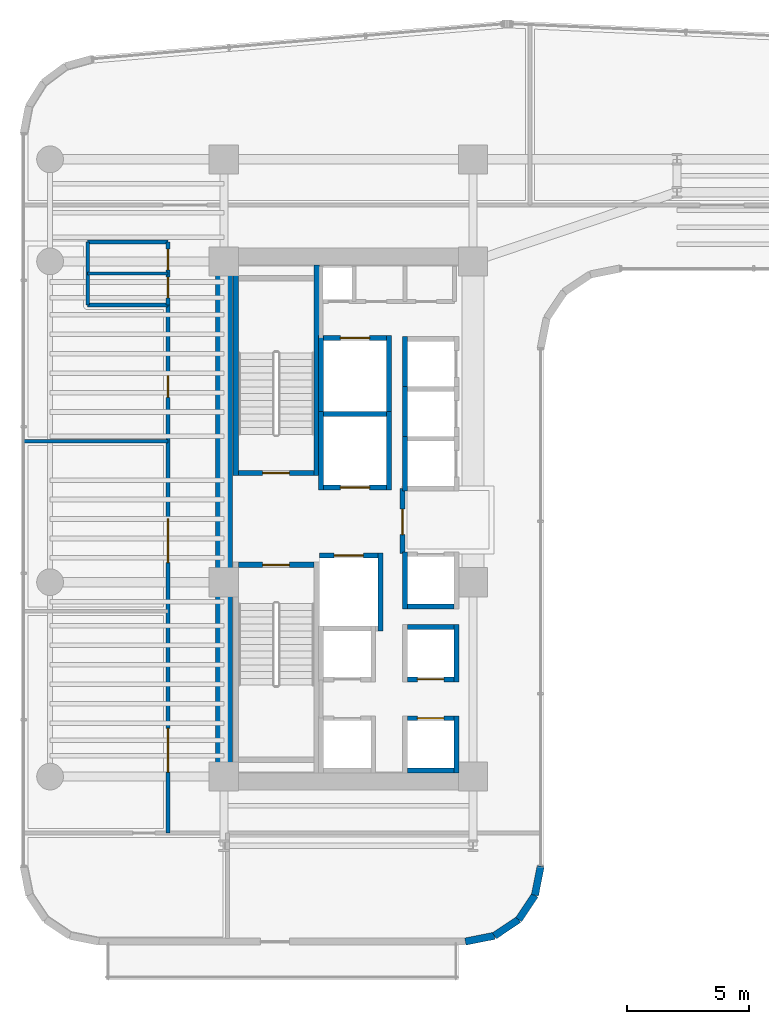
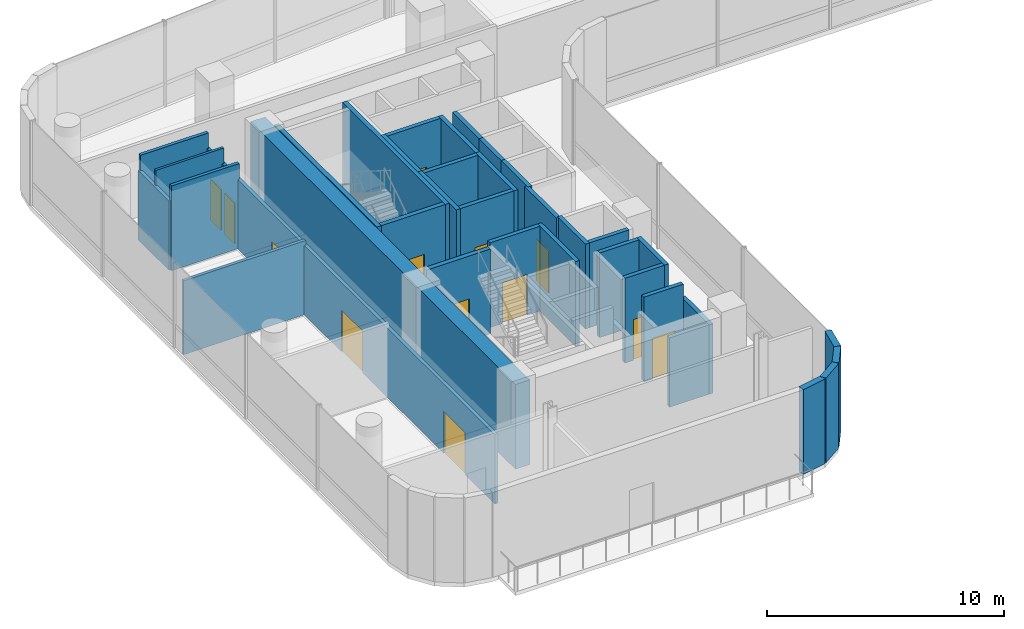
# One storey, part 25 of 32: 37 walls, 13 doors, 13 openings.
"""IFC4 building model written with IfcOpenShell, lengths in metres."""

from ifc_helpers import new_model, si_unit, direction, frame, frame_2d, origin, place, context, subcontext, project, spatial, rectangle, extrude, material, layer, layer_set, type_object, element, fill, save


model = new_model("IFC4")

# Units and contexts
model_context = context("Model", 3, precision=1e-05, world=origin(), true_north=direction((0.0, 1.0)))
body_context = subcontext(model_context, "Body", "Model", "MODEL_VIEW")
ifc_project = project(units=[si_unit("LENGTHUNIT", "METRE"), si_unit("AREAUNIT", "SQUARE_METRE"), si_unit("VOLUMEUNIT", "CUBIC_METRE"), si_unit("PLANEANGLEUNIT", "RADIAN"), si_unit("MASSUNIT", "GRAM", prefix="KILO")], contexts=[model_context])

# Site, building, storey
site_placement = place(None, origin())
site = spatial("IfcSite", under=ifc_project, at=site_placement, CompositionType="ELEMENT")
building_placement = place(site_placement, origin())
building = spatial("IfcBuilding", under=site, at=building_placement, Name="Valdorenza Pilgrim Sanctuary Tower", CompositionType="ELEMENT")
storey_placement = place(building_placement, frame((0.0, 0.0, 101.10009765625)))
storey = spatial("IfcBuildingStorey", under=building, at=storey_placement, Name="L25", CompositionType="ELEMENT", Elevation=101.10009765625)

# Wall
ifc_material_1 = material(Name="Acoustic twin-stud gypsum partition", Category="gypsum")
ifc_layer_1 = layer(ifc_material_1, 0.159912109375, Name="Acoustic twin-stud gypsum partition")
ifc_layer_set_1 = layer_set([ifc_layer_1], Name="Acoustic twin-stud gypsum partition")
wall_type_1 = type_object("IfcWallType", Name="WAL-COR-160", PredefinedType="PARTITIONING", material=ifc_layer_set_1)
wall_1_placement = place(storey_placement, frame((-28.25, 8.800048828125, 0.0), z_axis=(0.0, 0.0, 1.0), x_axis=(0.0, 1.0, 0.0)))
element("IfcWall", 1, at=wall_1_placement, inside=storey, type_object=wall_type_1, Name="L25 Washroom West Wall", PredefinedType="PARTITIONING", context=body_context, shape_type="SweptSolid", body=[
    extrude(rectangle(XDim=2.599853515625, YDim=0.159912109375, at=frame_2d((1.2998046875, 0.0))), origin(), (0.0, 0.0, 1.0), 3.56591796875),
])

# Wall, openings, doors
wall_2_placement = place(storey_placement, frame((-24.949951171875, 8.800048828125, 0.0), z_axis=(0.0, 0.0, 1.0), x_axis=(0.0, 1.0, 0.0)))
wall_2 = element("IfcWall", 2, at=wall_2_placement, inside=storey, type_object=wall_type_1, Name="L25 Washroom East Wall", PredefinedType="PARTITIONING", context=body_context, shape_type="SweptSolid", body=[
    extrude(rectangle(XDim=2.599853515625, YDim=0.159912109375, at=frame_2d((1.2998046875, 0.0))), origin(), (0.0, 0.0, 1.0), 3.56591796875),
])
opening_1_placement = place(wall_2_placement, frame((0.300048828125, 0.0, 0.0)))
opening_1 = element("IfcOpeningElement", 3, at=opening_1_placement, cuts=wall_2, Name="Opening DR-WC1", PredefinedType="OPENING", context=body_context, shape_type="SweptSolid", body=[
    extrude(rectangle(XDim=0.85009765625, YDim=2.10009765625, at=frame_2d((0.425048828125, 1.050048828125))), frame((0.0, 0.0947265625, 0.0), z_axis=(0.0, -1.0, 0.0), x_axis=(1.0, 0.0, 0.0)), (0.0, 0.0, 1.0), 0.189697265625),
])
opening_2_placement = place(wall_2_placement, frame((1.449951171875, 0.0, 0.0)))
opening_2 = element("IfcOpeningElement", 4, at=opening_2_placement, cuts=wall_2, Name="Opening DR-WC1", PredefinedType="OPENING", context=body_context, shape_type="SweptSolid", body=[
    extrude(rectangle(XDim=0.85009765625, YDim=2.10009765625, at=frame_2d((0.425048828125, 1.050048828125))), frame((0.0, 0.0947265625, 0.0), z_axis=(0.0, -1.0, 0.0), x_axis=(1.0, 0.0, 0.0)), (0.0, 0.0, 1.0), 0.189697265625),
])
ifc_material_2 = material(Name="Moisture-resistant lacquered timber", Category="wood")
door_type_1 = type_object("IfcDoorType", Name="DR-BATH-850", OperationType="NOTDEFINED", PredefinedType="DOOR", material=ifc_material_2)
door_1_placement = place(opening_1_placement, origin())
door_1 = element("IfcDoor", 5, at=door_1_placement, inside=storey, type_object=door_type_1, Name="L25 Accessible Washroom Door", OperationType="SINGLE_SWING_RIGHT", OverallHeight=2.10009765625, OverallWidth=0.85009765625, PredefinedType="DOOR", context=body_context, shape_type="SweptSolid", body=[
    extrude(rectangle(XDim=0.85009765625, YDim=2.10009765625, at=frame_2d((0.425048828125, 1.050048828125))), frame((0.0, 0.02490234375, 0.0), z_axis=(0.0, -1.0, 0.0), x_axis=(1.0, 0.0, 0.0)), (0.0, 0.0, 1.0), 0.050048828125),
])
fill(opening_1, door_1)
door_2_placement = place(opening_2_placement, origin())
door_2 = element("IfcDoor", 6, at=door_2_placement, inside=storey, type_object=door_type_1, Name="L25 Public Washroom Door", OperationType="SINGLE_SWING_LEFT", OverallHeight=2.10009765625, OverallWidth=0.85009765625, PredefinedType="DOOR", context=body_context, shape_type="SweptSolid", body=[
    extrude(rectangle(XDim=0.85009765625, YDim=2.10009765625, at=frame_2d((0.425048828125, 1.050048828125))), frame((0.0, 0.02490234375, 0.0), z_axis=(0.0, -1.0, 0.0), x_axis=(1.0, 0.0, 0.0)), (0.0, 0.0, 1.0), 0.050048828125),
])
fill(opening_2, door_2)

# Walls
for number, where, z_axis, x_axis, name in (
    (7, (-28.25, 8.800048828125, 0.0), (0.0, 0.0, 1.0), (1.0, 0.0, 0.0), "L25 Washroom South Wall"),
    (8, (-28.25, 11.39990234375, 0.0), (0.0, 0.0, 1.0), (1.0, 0.0, 0.0), "L25 Washroom North Wall"),
):
    element("IfcWall", number, at=place(storey_placement, frame(where, z_axis=z_axis, x_axis=x_axis)), inside=storey, type_object=wall_type_1, Name=name, PredefinedType="PARTITIONING", context=body_context, shape_type="SweptSolid", body=[
        extrude(rectangle(XDim=3.300048828125, YDim=0.159912109375, at=frame_2d((1.64990234375, 0.0))), origin(), (0.0, 0.0, 1.0), 4.35986328125),
    ])

# Wall, openings, doors
wall_3_placement = place(storey_placement, frame((-24.949951171875, -12.919921875, 0.0), z_axis=(0.0, 0.0, 1.0), x_axis=(0.0, 1.0, 0.0)))
wall_3 = element("IfcWall", 9, at=wall_3_placement, inside=storey, type_object=wall_type_1, Name="L25 Sky West Concourse Wall", PredefinedType="PARTITIONING", context=body_context, shape_type="SweptSolid", body=[
    extrude(rectangle(XDim=21.719970703125, YDim=0.159912109375, at=frame_2d((10.85986328125, 0.0))), origin(), (0.0, 0.0, 1.0), 3.56591796875),
])
opening_3_placement = place(wall_3_placement, frame((2.5, 0.0, 0.0)))
opening_3 = element("IfcOpeningElement", 10, at=opening_3_placement, cuts=wall_3, Name="Opening DR-HL1", PredefinedType="OPENING", context=body_context, shape_type="SweptSolid", body=[
    extrude(rectangle(XDim=1.800048828125, YDim=2.14990234375, at=frame_2d((0.89990234375, 1.074951171875))), frame((0.0, 0.0947265625, 0.0), z_axis=(0.0, -1.0, 0.0), x_axis=(1.0, 0.0, 0.0)), (0.0, 0.0, 1.0), 0.189697265625),
])
opening_4_placement = place(wall_3_placement, frame((11.1201171875, 0.0, 0.0)))
opening_4 = element("IfcOpeningElement", 11, at=opening_4_placement, cuts=wall_3, Name="Opening DR-HL1", PredefinedType="OPENING", context=body_context, shape_type="SweptSolid", body=[
    extrude(rectangle(XDim=1.800048828125, YDim=2.14990234375, at=frame_2d((0.89990234375, 1.074951171875))), frame((0.0, 0.0947265625, 0.0), z_axis=(0.0, -1.0, 0.0), x_axis=(1.0, 0.0, 0.0)), (0.0, 0.0, 1.0), 0.189697265625),
])
opening_5_placement = place(wall_3_placement, frame((17.919921875, 0.0, 0.0)))
opening_5 = element("IfcOpeningElement", 12, at=opening_5_placement, cuts=wall_3, Name="Opening DR-RM1", PredefinedType="OPENING", context=body_context, shape_type="SweptSolid", body=[
    extrude(rectangle(XDim=0.89990234375, YDim=2.10009765625, at=frame_2d((0.449951171875, 1.050048828125))), frame((0.0, 0.0947265625, 0.0), z_axis=(0.0, -1.0, 0.0), x_axis=(1.0, 0.0, 0.0)), (0.0, 0.0, 1.0), 0.189697265625),
])
ifc_material_3 = material(Name="Acoustic oak and vision-glass double door", Category="glass")
door_type_2 = type_object("IfcDoorType", Name="DR-HALL-1800", OperationType="NOTDEFINED", PredefinedType="DOOR", material=ifc_material_3)
door_3_placement = place(opening_3_placement, origin())
door_3 = element("IfcDoor", 13, at=door_3_placement, inside=storey, type_object=door_type_2, Name="L25 Sky Lounge South Door", OperationType="DOUBLE_DOOR_SINGLE_SWING", OverallHeight=2.14990234375, OverallWidth=1.800048828125, PredefinedType="DOOR", context=body_context, shape_type="SweptSolid", body=[
    extrude(rectangle(XDim=1.800048828125, YDim=2.14990234375, at=frame_2d((0.89990234375, 1.074951171875))), frame((0.0, 0.02490234375, 0.0), z_axis=(0.0, -1.0, 0.0), x_axis=(1.0, 0.0, 0.0)), (0.0, 0.0, 1.0), 0.050048828125),
])
fill(opening_3, door_3)
door_4_placement = place(opening_4_placement, frame((1.800048828125, 0.0, 0.0), z_axis=(0.0, 0.0, 1.0), x_axis=(-1.0, 0.0, 0.0)))
door_4 = element("IfcDoor", 14, at=door_4_placement, inside=storey, type_object=door_type_2, Name="L25 Sky Mid Room Door", OperationType="DOUBLE_DOOR_SINGLE_SWING", OverallHeight=2.14990234375, OverallWidth=1.800048828125, PredefinedType="DOOR", context=body_context, shape_type="SweptSolid", body=[
    extrude(rectangle(XDim=1.800048828125, YDim=2.14990234375, at=frame_2d((0.89990234375, 1.074951171875))), frame((0.0, 0.02490234375, 0.0), z_axis=(0.0, -1.0, 0.0), x_axis=(1.0, 0.0, 0.0)), (0.0, 0.0, 1.0), 0.050048828125),
])
fill(opening_4, door_4)
ifc_material_4 = material(Name="Solid-core European oak timber", Category="wood")
door_type_3 = type_object("IfcDoorType", Name="DR-ROOM-900", OperationType="NOTDEFINED", PredefinedType="DOOR", material=ifc_material_4)
door_5_placement = place(opening_5_placement, origin())
door_5 = element("IfcDoor", 15, at=door_5_placement, inside=storey, type_object=door_type_3, Name="L25 Sky Office Door", OperationType="SINGLE_SWING_RIGHT", OverallHeight=2.10009765625, OverallWidth=0.89990234375, PredefinedType="DOOR", context=body_context, shape_type="SweptSolid", body=[
    extrude(rectangle(XDim=0.89990234375, YDim=2.10009765625, at=frame_2d((0.449951171875, 1.050048828125))), frame((0.0, 0.02490234375, 0.0), z_axis=(0.0, -1.0, 0.0), x_axis=(1.0, 0.0, 0.0)), (0.0, 0.0, 1.0), 0.050048828125),
])
fill(opening_5, door_5)

# Walls
ifc_material_5 = material(Name="Concrete C60/75", Category="concrete")
ifc_layer_2 = layer(ifc_material_5, 0.699951171875, Name="Concrete C60/75")
ifc_layer_set_2 = layer_set([ifc_layer_2], Name="Concrete C60/75")
wall_type_2 = type_object("IfcWallType", Name="WAL-COR-700", PredefinedType="SHEAR", material=ifc_layer_set_2)
wall_4_placement = place(storey_placement, frame((-22.64990234375, -11.14990234375, 0.0), z_axis=(0.0, 0.0, 1.0), x_axis=(0.0, 1.0, 0.0)))
element("IfcWall", 16, at=wall_4_placement, inside=storey, type_object=wall_type_2, Name="L25 Split Core A Shear Wall W", PredefinedType="SHEAR", context=body_context, shape_type="SweptSolid", body=[
    extrude(rectangle(XDim=22.2998046875, YDim=0.699951171875, at=frame_2d((11.14990234375, 0.0))), origin(), (0.0, 0.0, 1.0), 4.35986328125),
])
ifc_material_6 = material(Name="Honed travertine limestone", Category="masonry")
ifc_layer_3 = layer(ifc_material_6, 0.300048828125, Name="Honed travertine limestone")
ifc_layer_set_3 = layer_set([ifc_layer_3], Name="Honed travertine limestone")
wall_type_3 = type_object("IfcWallType", Name="WAL-EXT-300", PredefinedType="SOLIDWALL", material=ifc_layer_set_3)
wall_5_placement = place(storey_placement, frame((-9.610107421875, -14.289306640625, 0.0), z_axis=(0.0, 0.0, 1.0), x_axis=(-0.194996050505, -0.980804027463, 0.0)))
element("IfcWall", 17, at=wall_5_placement, inside=storey, type_object=wall_type_3, Name="L25 Rounded Wind-Corner Stone Pier 42", PredefinedType="SOLIDWALL", context=body_context, shape_type="SweptSolid", body=[
    extrude(rectangle(XDim=1.2158203125, YDim=0.300048828125, at=frame_2d((0.60791015625, 0.0))), origin(), (0.0, 0.0, 1.0), 4.35986328125),
])
for number, where, z_axis, x_axis, name in (
    (18, (-9.84716796875, -15.481689453125, 0.0), (0.0, 0.0, 1.0), (-0.555635100982, -0.831426265255, 0.0), "L25 Rounded Wind-Corner Stone Pier 43"),
    (19, (-10.5166015625, -16.4833984375, 0.0), (0.0, 0.0, 1.0), (-0.831426265255, -0.555635100982, 0.0), "L25 Rounded Wind-Corner Stone Pier 44"),
):
    element("IfcWall", number, at=place(storey_placement, frame(where, z_axis=z_axis, x_axis=x_axis)), inside=storey, type_object=wall_type_3, Name=name, PredefinedType="SOLIDWALL", context=body_context, shape_type="SweptSolid", body=[
        extrude(rectangle(XDim=1.204833984375, YDim=0.300048828125, at=frame_2d((0.6025390625, 0.0))), origin(), (0.0, 0.0, 1.0), 4.35986328125),
    ])
wall_6_placement = place(storey_placement, frame((-11.518310546875, -17.15283203125, 0.0), z_axis=(0.0, 0.0, 1.0), x_axis=(-0.980804027463, -0.194996050505, 0.0)))
element("IfcWall", 20, at=wall_6_placement, inside=storey, type_object=wall_type_3, Name="L25 Rounded Wind-Corner Stone Pier 45", PredefinedType="SOLIDWALL", context=body_context, shape_type="SweptSolid", body=[
    extrude(rectangle(XDim=1.2158203125, YDim=0.300048828125, at=frame_2d((0.60791015625, 0.0))), origin(), (0.0, 0.0, 1.0), 4.35986328125),
])

# Wall, opening, door
ifc_material_7 = material(Name="Gypsum shaftwall partition", Category="gypsum")
ifc_layer_4 = layer(ifc_material_7, 0.199951171875, Name="Gypsum shaftwall partition")
ifc_layer_set_4 = layer_set([ifc_layer_4], Name="Gypsum shaftwall partition")
wall_type_4 = type_object("IfcWallType", Name="WAL-FFL-200", PredefinedType="PARTITIONING", material=ifc_layer_set_4)
wall_7_placement = place(storey_placement, frame((-15.300048828125, -1.419921875, 0.0), z_axis=(0.0, 0.0, 1.0), x_axis=(0.0, 1.0, 0.0)))
wall_7 = element("IfcWall", 21, at=wall_7_placement, inside=storey, type_object=wall_type_4, Name="L25 Core A Firefighting Lobby East Wall", PredefinedType="PARTITIONING", context=body_context, shape_type="SweptSolid", body=[
    extrude(rectangle(XDim=2.669921875, YDim=0.199951171875, at=frame_2d((1.3349609375, 0.0))), origin(), (0.0, 0.0, 1.0), 4.35986328125),
])
opening_6_placement = place(wall_7_placement, frame((0.780029296875, 0.0, 0.0)))
opening_6 = element("IfcOpeningElement", 22, at=opening_6_placement, cuts=wall_7, Name="Opening DR-FL1", PredefinedType="OPENING", context=body_context, shape_type="SweptSolid", body=[
    extrude(rectangle(XDim=1.050048828125, YDim=2.14990234375, at=frame_2d((0.52490234375, 1.074951171875))), frame((0.0, 0.11474609375, 0.0), z_axis=(0.0, -1.0, 0.0), x_axis=(1.0, 0.0, 0.0)), (0.0, 0.0, 1.0), 0.229736328125),
])
ifc_material_8 = material(Name="Painted galvanized steel", Category="steel")
door_type_4 = type_object("IfcDoorType", Name="DR-FFL-1050", OperationType="NOTDEFINED", PredefinedType="DOOR", material=ifc_material_8)
door_6_placement = place(opening_6_placement, origin())
door_6 = element("IfcDoor", 23, at=door_6_placement, inside=storey, type_object=door_type_4, Name="L25 Core A Firefighting Lobby Door", OperationType="SINGLE_SWING_RIGHT", OverallHeight=2.14990234375, OverallWidth=1.050048828125, PredefinedType="DOOR", context=body_context, shape_type="SweptSolid", body=[
    extrude(rectangle(XDim=1.050048828125, YDim=2.14990234375, at=frame_2d((0.52490234375, 1.074951171875))), frame((0.0, 0.02490234375, 0.0), z_axis=(0.0, -1.0, 0.0), x_axis=(1.0, 0.0, 0.0)), (0.0, 0.0, 1.0), 0.050048828125),
])
fill(opening_6, door_6)

# Walls
ifc_material_9 = material(Name="Moisture-resistant gypsum partition", Category="gypsum")
ifc_layer_5 = layer(ifc_material_9, 0.1201171875, Name="Moisture-resistant gypsum partition")
ifc_layer_set_5 = layer_set([ifc_layer_5], Name="Moisture-resistant gypsum partition")
wall_type_5 = type_object("IfcWallType", Name="WAL-INT-120", PredefinedType="PARTITIONING", material=ifc_layer_set_5)
wall_8_placement = place(storey_placement, frame((-28.25, 10.10009765625, 0.0), z_axis=(0.0, 0.0, 1.0), x_axis=(1.0, 0.0, 0.0)))
element("IfcWall", 24, at=wall_8_placement, inside=storey, type_object=wall_type_5, Name="L25 Washroom Divider Wall", PredefinedType="PARTITIONING", context=body_context, shape_type="SweptSolid", body=[
    extrude(rectangle(XDim=3.300048828125, YDim=0.1201171875, at=frame_2d((1.64990234375, 0.0))), origin(), (0.0, 0.0, 1.0), 4.35986328125),
])
ifc_material_10 = material(Name="Autoclaved aerated concrete blockwork", Category="masonry")
ifc_layer_6 = layer(ifc_material_10, 0.199951171875, Name="Autoclaved aerated concrete blockwork")
ifc_layer_set_6 = layer_set([ifc_layer_6], Name="Autoclaved aerated concrete blockwork")
wall_type_6 = type_object("IfcWallType", Name="WAL-SHF-200", PredefinedType="MOVABLE", material=ifc_layer_set_6)
for number, where, z_axis, x_axis, name in (
    (25, (-18.64990234375, 1.199951171875, 0.0), (0.0, 0.0, 1.0), (0.0, 1.0, 0.0), "L25 Lift FFL-01 Hoistway Wall West"),
    (26, (-15.85009765625, 1.199951171875, 0.0), (0.0, 0.0, 1.0), (0.0, 1.0, 0.0), "L25 Lift FFL-01 Hoistway Wall East"),
):
    element("IfcWall", number, at=place(storey_placement, frame(where, z_axis=z_axis, x_axis=x_axis)), inside=storey, type_object=wall_type_6, Name=name, PredefinedType="MOVABLE", context=body_context, shape_type="SweptSolid", body=[
        extrude(rectangle(XDim=3.22509765625, YDim=0.199951171875, at=frame_2d((1.612548828125, 0.0))), origin(), (0.0, 0.0, 1.0), 4.35986328125),
    ])

# Wall, opening, door
wall_9_placement = place(storey_placement, frame((-18.550048828125, 1.300048828125, 0.0), z_axis=(0.0, 0.0, 1.0), x_axis=(1.0, 0.0, 0.0)))
wall_9 = element("IfcWall", 27, at=wall_9_placement, inside=storey, type_object=wall_type_6, Name="L25 Lift FFL-01 Hoistway Wall South", PredefinedType="MOVABLE", context=body_context, shape_type="SweptSolid", body=[
    extrude(rectangle(XDim=2.60009765625, YDim=0.199951171875, at=frame_2d((1.300048828125, 0.0))), origin(), (0.0, 0.0, 1.0), 4.35986328125),
])
opening_7_placement = place(wall_9_placement, frame((0.699951171875, 0.0, 0.0)))
opening_7 = element("IfcOpeningElement", 28, at=opening_7_placement, cuts=wall_9, Name="Opening LD-02", PredefinedType="OPENING", context=body_context, shape_type="SweptSolid", body=[
    extrude(rectangle(XDim=1.199951171875, YDim=2.10009765625, at=frame_2d((0.60009765625, 1.050048828125))), frame((0.0, 0.11474609375, 0.0), z_axis=(0.0, -1.0, 0.0), x_axis=(1.0, 0.0, 0.0)), (0.0, 0.0, 1.0), 0.229736328125),
])
ifc_material_11 = material(Name="Brushed stainless steel Grade 316", Category="steel")
door_type_5 = type_object("IfcDoorType", Name="DR-LFT-1200", OperationType="DOUBLE_DOOR_SLIDING", PredefinedType="DOOR", material=ifc_material_11)
door_7_placement = place(opening_7_placement, origin())
door_7 = element("IfcDoor", 29, at=door_7_placement, inside=storey, type_object=door_type_5, Name="L25 Lift FFL-01 Sliding Landing Door", OperationType="DOUBLE_DOOR_SLIDING", OverallHeight=2.10009765625, OverallWidth=1.199951171875, PredefinedType="DOOR", context=body_context, shape_type="SweptSolid", body=[
    extrude(rectangle(XDim=1.199951171875, YDim=2.10009765625, at=frame_2d((0.60009765625, 1.050048828125))), frame((0.0, 0.02490234375, 0.0), z_axis=(0.0, -1.0, 0.0), x_axis=(1.0, 0.0, 0.0)), (0.0, 0.0, 1.0), 0.050048828125),
])
fill(opening_7, door_7)

# Walls
wall_10_placement = place(storey_placement, frame((-18.550048828125, 4.324951171875, 0.0), z_axis=(0.0, 0.0, 1.0), x_axis=(1.0, 0.0, 0.0)))
element("IfcWall", 30, at=wall_10_placement, inside=storey, type_object=wall_type_6, Name="L25 Lift FFL-01 Hoistway Wall North", PredefinedType="MOVABLE", context=body_context, shape_type="SweptSolid", body=[
    extrude(rectangle(XDim=2.60009765625, YDim=0.199951171875, at=frame_2d((1.300048828125, 0.0))), origin(), (0.0, 0.0, 1.0), 4.35986328125),
])
wall_11_placement = place(storey_placement, frame((-16.199951171875, -4.60009765625, 0.0), z_axis=(0.0, 0.0, 1.0), x_axis=(0.0, 1.0, 0.0)))
element("IfcWall", 31, at=wall_11_placement, inside=storey, type_object=wall_type_6, Name="L25 Lift FFL-02 Hoistway Wall East", PredefinedType="MOVABLE", context=body_context, shape_type="SweptSolid", body=[
    extrude(rectangle(XDim=3.2001953125, YDim=0.199951171875, at=frame_2d((1.60009765625, 0.0))), origin(), (0.0, 0.0, 1.0), 4.35986328125),
])

# Wall, opening, door
wall_12_placement = place(storey_placement, frame((-18.719970703125, -1.5, 0.0), z_axis=(0.0, 0.0, 1.0), x_axis=(1.0, 0.0, 0.0)))
wall_12 = element("IfcWall", 32, at=wall_12_placement, inside=storey, type_object=wall_type_6, Name="L25 Lift FFL-02 Hoistway Wall North", PredefinedType="MOVABLE", context=body_context, shape_type="SweptSolid", body=[
    extrude(rectangle(XDim=2.419921875, YDim=0.199951171875, at=frame_2d((1.2099609375, 0.0))), origin(), (0.0, 0.0, 1.0), 4.35986328125),
])
opening_8_placement = place(wall_12_placement, frame((0.610107421875, 0.0, 0.0)))
opening_8 = element("IfcOpeningElement", 33, at=opening_8_placement, cuts=wall_12, Name="Opening LD-02", PredefinedType="OPENING", context=body_context, shape_type="SweptSolid", body=[
    extrude(rectangle(XDim=1.199951171875, YDim=2.10009765625, at=frame_2d((0.60009765625, 1.050048828125))), frame((0.0, 0.11474609375, 0.0), z_axis=(0.0, -1.0, 0.0), x_axis=(1.0, 0.0, 0.0)), (0.0, 0.0, 1.0), 0.229736328125),
])
door_8_placement = place(opening_8_placement, origin())
door_8 = element("IfcDoor", 34, at=door_8_placement, inside=storey, type_object=door_type_5, Name="L25 Lift FFL-02 Sliding Landing Door", OperationType="DOUBLE_DOOR_SLIDING", OverallHeight=2.10009765625, OverallWidth=1.199951171875, PredefinedType="DOOR", context=body_context, shape_type="SweptSolid", body=[
    extrude(rectangle(XDim=1.199951171875, YDim=2.10009765625, at=frame_2d((0.60009765625, 1.050048828125))), frame((0.0, 0.02490234375, 0.0), z_axis=(0.0, -1.0, 0.0), x_axis=(1.0, 0.0, 0.0)), (0.0, 0.0, 1.0), 0.050048828125),
])
fill(opening_8, door_8)

# Walls
for number, where, z_axis, x_axis, name in (
    (35, (-18.64990234375, 4.22509765625, 0.0), (0.0, 0.0, 1.0), (0.0, 1.0, 0.0), "L25 Lift SVL-01 Hoistway Wall West"),
    (36, (-15.85009765625, 4.22509765625, 0.0), (0.0, 0.0, 1.0), (0.0, 1.0, 0.0), "L25 Lift SVL-01 Hoistway Wall East"),
):
    element("IfcWall", number, at=place(storey_placement, frame(where, z_axis=z_axis, x_axis=x_axis)), inside=storey, type_object=wall_type_6, Name=name, PredefinedType="MOVABLE", context=body_context, shape_type="SweptSolid", body=[
        extrude(rectangle(XDim=3.324951171875, YDim=0.199951171875, at=frame_2d((1.66259765625, 0.0))), origin(), (0.0, 0.0, 1.0), 4.35986328125),
    ])

# Wall, opening, door
wall_13_placement = place(storey_placement, frame((-18.550048828125, 7.449951171875, 0.0), z_axis=(0.0, 0.0, 1.0), x_axis=(1.0, 0.0, 0.0)))
wall_13 = element("IfcWall", 37, at=wall_13_placement, inside=storey, type_object=wall_type_6, Name="L25 Lift SVL-01 Hoistway Wall North", PredefinedType="MOVABLE", context=body_context, shape_type="SweptSolid", body=[
    extrude(rectangle(XDim=2.60009765625, YDim=0.199951171875, at=frame_2d((1.300048828125, 0.0))), origin(), (0.0, 0.0, 1.0), 4.35986328125),
])
opening_9_placement = place(wall_13_placement, frame((0.699951171875, 0.0, 0.0)))
opening_9 = element("IfcOpeningElement", 38, at=opening_9_placement, cuts=wall_13, Name="Opening LD-02", PredefinedType="OPENING", context=body_context, shape_type="SweptSolid", body=[
    extrude(rectangle(XDim=1.199951171875, YDim=2.10009765625, at=frame_2d((0.60009765625, 1.050048828125))), frame((0.0, 0.11474609375, 0.0), z_axis=(0.0, -1.0, 0.0), x_axis=(1.0, 0.0, 0.0)), (0.0, 0.0, 1.0), 0.229736328125),
])
door_9_placement = place(opening_9_placement, origin())
door_9 = element("IfcDoor", 39, at=door_9_placement, inside=storey, type_object=door_type_5, Name="L25 Lift SVL-01 Sliding Landing Door", OperationType="DOUBLE_DOOR_SLIDING", OverallHeight=2.10009765625, OverallWidth=1.199951171875, PredefinedType="DOOR", context=body_context, shape_type="SweptSolid", body=[
    extrude(rectangle(XDim=1.199951171875, YDim=2.10009765625, at=frame_2d((0.60009765625, 1.050048828125))), frame((0.0, 0.02490234375, 0.0), z_axis=(0.0, -1.0, 0.0), x_axis=(1.0, 0.0, 0.0)), (0.0, 0.0, 1.0), 0.050048828125),
])
fill(opening_9, door_9)

# Walls
wall_14_placement = place(storey_placement, frame((-13.080078125, -10.449951171875, 0.0), z_axis=(0.0, 0.0, 1.0), x_axis=(0.0, 1.0, 0.0)))
element("IfcWall", 40, at=wall_14_placement, inside=storey, type_object=wall_type_6, Name="L25 Lift PL-01 Hoistway Wall East", PredefinedType="MOVABLE", context=body_context, shape_type="SweptSolid", body=[
    extrude(rectangle(XDim=2.349853515625, YDim=0.199951171875, at=frame_2d((1.1748046875, 0.0))), origin(), (0.0, 0.0, 1.0), 3.56591796875),
])
wall_15_placement = place(storey_placement, frame((-15.10009765625, -10.35009765625, 0.0), z_axis=(0.0, 0.0, 1.0), x_axis=(1.0, 0.0, 0.0)))
element("IfcWall", 41, at=wall_15_placement, inside=storey, type_object=wall_type_6, Name="L25 Lift PL-01 Hoistway Wall South", PredefinedType="MOVABLE", context=body_context, shape_type="SweptSolid", body=[
    extrude(rectangle(XDim=1.920166015625, YDim=0.199951171875, at=frame_2d((0.9599609375, 0.0))), origin(), (0.0, 0.0, 1.0), 3.56591796875),
])

# Wall, opening, door
wall_16_placement = place(storey_placement, frame((-15.10009765625, -8.199951171875, 0.0), z_axis=(0.0, 0.0, 1.0), x_axis=(1.0, 0.0, 0.0)))
wall_16 = element("IfcWall", 42, at=wall_16_placement, inside=storey, type_object=wall_type_6, Name="L25 Lift PL-01 Hoistway Wall North", PredefinedType="MOVABLE", context=body_context, shape_type="SweptSolid", body=[
    extrude(rectangle(XDim=1.920166015625, YDim=0.199951171875, at=frame_2d((0.9599609375, 0.0))), origin(), (0.0, 0.0, 1.0), 4.35986328125),
])
opening_10_placement = place(wall_16_placement, frame((0.409912109375, 0.0, 0.0)))
opening_10 = element("IfcOpeningElement", 43, at=opening_10_placement, cuts=wall_16, Name="Opening LD-01", PredefinedType="OPENING", context=body_context, shape_type="SweptSolid", body=[
    extrude(rectangle(XDim=1.10009765625, YDim=2.10009765625, at=frame_2d((0.550048828125, 1.050048828125))), frame((0.0, 0.11474609375, 0.0), z_axis=(0.0, -1.0, 0.0), x_axis=(1.0, 0.0, 0.0)), (0.0, 0.0, 1.0), 0.229736328125),
])
door_type_6 = type_object("IfcDoorType", Name="DR-LFT-1100", OperationType="DOUBLE_DOOR_SLIDING", PredefinedType="DOOR", material=ifc_material_11)
door_10_placement = place(opening_10_placement, origin())
door_10 = element("IfcDoor", 44, at=door_10_placement, inside=storey, type_object=door_type_6, Name="L25 Lift PL-01 Sliding Landing Door", OperationType="DOUBLE_DOOR_SLIDING", OverallHeight=2.10009765625, OverallWidth=1.10009765625, PredefinedType="DOOR", context=body_context, shape_type="SweptSolid", body=[
    extrude(rectangle(XDim=1.10009765625, YDim=2.10009765625, at=frame_2d((0.550048828125, 1.050048828125))), frame((0.0, 0.02490234375, 0.0), z_axis=(0.0, -1.0, 0.0), x_axis=(1.0, 0.0, 0.0)), (0.0, 0.0, 1.0), 0.050048828125),
])
fill(opening_10, door_10)

# Wall
wall_17_placement = place(storey_placement, frame((-13.080078125, -6.699951171875, 0.0), z_axis=(0.0, 0.0, 1.0), x_axis=(0.0, 1.0, 0.0)))
element("IfcWall", 45, at=wall_17_placement, inside=storey, type_object=wall_type_6, Name="L25 Lift PL-02 Hoistway Wall East", PredefinedType="MOVABLE", context=body_context, shape_type="SweptSolid", body=[
    extrude(rectangle(XDim=2.349853515625, YDim=0.199951171875, at=frame_2d((1.1748046875, 0.0))), origin(), (0.0, 0.0, 1.0), 4.35986328125),
])

# Wall, opening, door
wall_18_placement = place(storey_placement, frame((-15.10009765625, -6.60009765625, 0.0), z_axis=(0.0, 0.0, 1.0), x_axis=(1.0, 0.0, 0.0)))
wall_18 = element("IfcWall", 46, at=wall_18_placement, inside=storey, type_object=wall_type_6, Name="L25 Lift PL-02 Hoistway Wall South", PredefinedType="MOVABLE", context=body_context, shape_type="SweptSolid", body=[
    extrude(rectangle(XDim=1.920166015625, YDim=0.199951171875, at=frame_2d((0.9599609375, 0.0))), origin(), (0.0, 0.0, 1.0), 4.35986328125),
])
opening_11_placement = place(wall_18_placement, frame((0.409912109375, 0.0, 0.0)))
opening_11 = element("IfcOpeningElement", 47, at=opening_11_placement, cuts=wall_18, Name="Opening LD-01", PredefinedType="OPENING", context=body_context, shape_type="SweptSolid", body=[
    extrude(rectangle(XDim=1.10009765625, YDim=2.10009765625, at=frame_2d((0.550048828125, 1.050048828125))), frame((0.0, 0.11474609375, 0.0), z_axis=(0.0, -1.0, 0.0), x_axis=(1.0, 0.0, 0.0)), (0.0, 0.0, 1.0), 0.229736328125),
])
door_11_placement = place(opening_11_placement, origin())
door_11 = element("IfcDoor", 48, at=door_11_placement, inside=storey, type_object=door_type_6, Name="L25 Lift PL-02 Sliding Landing Door", OperationType="DOUBLE_DOOR_SLIDING", OverallHeight=2.10009765625, OverallWidth=1.10009765625, PredefinedType="DOOR", context=body_context, shape_type="SweptSolid", body=[
    extrude(rectangle(XDim=1.10009765625, YDim=2.10009765625, at=frame_2d((0.550048828125, 1.050048828125))), frame((0.0, 0.02490234375, 0.0), z_axis=(0.0, -1.0, 0.0), x_axis=(1.0, 0.0, 0.0)), (0.0, 0.0, 1.0), 0.050048828125),
])
fill(opening_11, door_11)

# Walls
wall_19_placement = place(storey_placement, frame((-15.10009765625, -4.449951171875, 0.0), z_axis=(0.0, 0.0, 1.0), x_axis=(1.0, 0.0, 0.0)))
element("IfcWall", 49, at=wall_19_placement, inside=storey, type_object=wall_type_6, Name="L25 Lift PL-02 Hoistway Wall North", PredefinedType="MOVABLE", context=body_context, shape_type="SweptSolid", body=[
    extrude(rectangle(XDim=1.920166015625, YDim=0.199951171875, at=frame_2d((0.9599609375, 0.0))), origin(), (0.0, 0.0, 1.0), 4.35986328125),
])
for number, where, z_axis, x_axis, name in (
    (50, (-15.199951171875, 1.14990234375, 0.0), (0.0, 0.0, 1.0), (0.0, 1.0, 0.0), "L25 Lift PL-06 Hoistway Wall West"),
    (51, (-15.199951171875, 3.199951171875, 0.0), (0.0, 0.0, 1.0), (0.0, 1.0, 0.0), "L25 Lift PL-09 Hoistway Wall West"),
    (52, (-15.199951171875, 5.25, 0.0), (0.0, 0.0, 1.0), (0.0, 1.0, 0.0), "L25 Lift PL-10 Hoistway Wall West"),
):
    element("IfcWall", number, at=place(storey_placement, frame(where, z_axis=z_axis, x_axis=x_axis)), inside=storey, type_object=wall_type_6, Name=name, PredefinedType="MOVABLE", context=body_context, shape_type="SweptSolid", body=[
        extrude(rectangle(XDim=2.25, YDim=0.199951171875, at=frame_2d((1.125, 0.0))), origin(), (0.0, 0.0, 1.0), 4.35986328125),
    ])
wall_20_placement = place(storey_placement, frame((-15.199951171875, -3.699951171875, 0.0), z_axis=(0.0, 0.0, 1.0), x_axis=(0.0, 1.0, 0.0)))
element("IfcWall", 53, at=wall_20_placement, inside=storey, type_object=wall_type_6, Name="L25 Lift PL-12 Hoistway Wall West", PredefinedType="MOVABLE", context=body_context, shape_type="SweptSolid", body=[
    extrude(rectangle(XDim=2.349853515625, YDim=0.199951171875, at=frame_2d((1.1748046875, 0.0))), origin(), (0.0, 0.0, 1.0), 4.35986328125),
])
wall_21_placement = place(storey_placement, frame((-15.10009765625, -3.60009765625, 0.0), z_axis=(0.0, 0.0, 1.0), x_axis=(1.0, 0.0, 0.0)))
element("IfcWall", 54, at=wall_21_placement, inside=storey, type_object=wall_type_6, Name="L25 Lift PL-12 Hoistway Wall South", PredefinedType="MOVABLE", context=body_context, shape_type="SweptSolid", body=[
    extrude(rectangle(XDim=1.920166015625, YDim=0.199951171875, at=frame_2d((0.9599609375, 0.0))), origin(), (0.0, 0.0, 1.0), 4.35986328125),
])
ifc_material_12 = material(Name="Concrete C40/50", Category="concrete")
ifc_layer_7 = layer(ifc_material_12, 0.219970703125, Name="Concrete C40/50")
ifc_layer_set_7 = layer_set([ifc_layer_7], Name="Concrete C40/50")
wall_type_7 = type_object("IfcWallType", Name="WAL-STR-SHF-220", PredefinedType="SHEAR", material=ifc_layer_set_7)
for number, where, z_axis, x_axis, name in (
    (55, (-22.159912109375, 1.780029296875, 0.0), (0.0, 0.0, 1.0), (0.0, 1.0, 0.0), "L25 ST-A1 Structural Stairwell Wall W"),
    (56, (-18.830078125, 1.780029296875, 0.0), (0.0, 0.0, 1.0), (0.0, 1.0, 0.0), "L25 ST-A1 Structural Stairwell Wall E"),
):
    element("IfcWall", number, at=place(storey_placement, frame(where, z_axis=z_axis, x_axis=x_axis)), inside=storey, type_object=wall_type_7, Name=name, PredefinedType="SHEAR", context=body_context, shape_type="SweptSolid", body=[
        extrude(rectangle(XDim=8.669921875, YDim=0.219970703125, at=frame_2d((4.3349609375, 0.0))), origin(), (0.0, 0.0, 1.0), 4.35986328125),
    ])

# Wall, opening, door
wall_22_placement = place(storey_placement, frame((-22.050048828125, 1.889892578125, 0.0), z_axis=(0.0, 0.0, 1.0), x_axis=(1.0, 0.0, 0.0)))
wall_22 = element("IfcWall", 57, at=wall_22_placement, inside=storey, type_object=wall_type_7, Name="L25 ST-A1 Structural Stairwell Wall S", PredefinedType="SHEAR", context=body_context, shape_type="SweptSolid", body=[
    extrude(rectangle(XDim=3.110107421875, YDim=0.219970703125, at=frame_2d((1.55517578125, 0.0))), origin(), (0.0, 0.0, 1.0), 4.35986328125),
])
opening_12_placement = place(wall_22_placement, frame((1.0, 0.0, 0.0)))
opening_12 = element("IfcOpeningElement", 58, at=opening_12_placement, cuts=wall_22, Name="Opening DR-ST1", PredefinedType="OPENING", context=body_context, shape_type="SweptSolid", body=[
    extrude(rectangle(XDim=1.10009765625, YDim=2.14990234375, at=frame_2d((0.550048828125, 1.074951171875))), frame((0.0, 0.125, 0.0), z_axis=(0.0, -1.0, 0.0), x_axis=(1.0, 0.0, 0.0)), (0.0, 0.0, 1.0), 0.249755859375),
])
door_type_7 = type_object("IfcDoorType", Name="DR-STAIR-1100", OperationType="NOTDEFINED", PredefinedType="DOOR", material=ifc_material_8)
door_12_placement = place(opening_12_placement, frame((1.10009765625, 0.0, 0.0), z_axis=(0.0, 0.0, 1.0), x_axis=(-1.0, 0.0, 0.0)))
door_12 = element("IfcDoor", 59, at=door_12_placement, inside=storey, type_object=door_type_7, Name="L25 Exit Stair ST-A1 Door", OperationType="SINGLE_SWING_LEFT", OverallHeight=2.14990234375, OverallWidth=1.10009765625, PredefinedType="DOOR", context=body_context, shape_type="SweptSolid", body=[
    extrude(rectangle(XDim=1.10009765625, YDim=2.14990234375, at=frame_2d((0.550048828125, 1.074951171875))), frame((0.0, 0.02490234375, 0.0), z_axis=(0.0, -1.0, 0.0), x_axis=(1.0, 0.0, 0.0)), (0.0, 0.0, 1.0), 0.050048828125),
])
fill(opening_12, door_12)

wall_23_placement = place(storey_placement, frame((-22.050048828125, -1.889892578125, 0.0), z_axis=(0.0, 0.0, 1.0), x_axis=(1.0, 0.0, 0.0)))
wall_23 = element("IfcWall", 60, at=wall_23_placement, inside=storey, type_object=wall_type_7, Name="L25 ST-A2 Structural Stairwell Wall N", PredefinedType="SHEAR", context=body_context, shape_type="SweptSolid", body=[
    extrude(rectangle(XDim=3.110107421875, YDim=0.219970703125, at=frame_2d((1.55517578125, 0.0))), origin(), (0.0, 0.0, 1.0), 4.35986328125),
])
opening_13_placement = place(wall_23_placement, frame((1.0, 0.0, 0.0)))
opening_13 = element("IfcOpeningElement", 61, at=opening_13_placement, cuts=wall_23, Name="Opening DR-ST1", PredefinedType="OPENING", context=body_context, shape_type="SweptSolid", body=[
    extrude(rectangle(XDim=1.10009765625, YDim=2.14990234375, at=frame_2d((0.550048828125, 1.074951171875))), frame((0.0, 0.125, 0.0), z_axis=(0.0, -1.0, 0.0), x_axis=(1.0, 0.0, 0.0)), (0.0, 0.0, 1.0), 0.249755859375),
])
door_13_placement = place(opening_13_placement, origin())
door_13 = element("IfcDoor", 62, at=door_13_placement, inside=storey, type_object=door_type_7, Name="L25 Exit Stair ST-A2 Door", OperationType="SINGLE_SWING_RIGHT", OverallHeight=2.14990234375, OverallWidth=1.10009765625, PredefinedType="DOOR", context=body_context, shape_type="SweptSolid", body=[
    extrude(rectangle(XDim=1.10009765625, YDim=2.14990234375, at=frame_2d((0.550048828125, 1.074951171875))), frame((0.0, 0.02490234375, 0.0), z_axis=(0.0, -1.0, 0.0), x_axis=(1.0, 0.0, 0.0)), (0.0, 0.0, 1.0), 0.050048828125),
])
fill(opening_13, door_13)

# Wall
ifc_layer_8 = layer(ifc_material_1, 0.14990234375, Name="Acoustic twin-stud gypsum partition")
ifc_layer_set_8 = layer_set([ifc_layer_8], Name="Acoustic twin-stud gypsum partition")
wall_type_8 = type_object("IfcWallType", Name="WAL-UNT-150", PredefinedType="PARTITIONING", material=ifc_layer_set_8)
wall_24_placement = place(storey_placement, frame((-30.889892578125, 3.199951171875, 0.0), z_axis=(0.0, 0.0, 1.0), x_axis=(1.0, 0.0, 0.0)))
element("IfcWall", 63, at=wall_24_placement, inside=storey, type_object=wall_type_8, Name="L25 Sky West Partition 2", PredefinedType="PARTITIONING", context=body_context, shape_type="SweptSolid", body=[
    extrude(rectangle(XDim=5.93994140625, YDim=0.14990234375, at=frame_2d((2.969970703125, 0.0))), origin(), (0.0, 0.0, 1.0), 3.7958984375),
])

save(model, "model.ifc")
